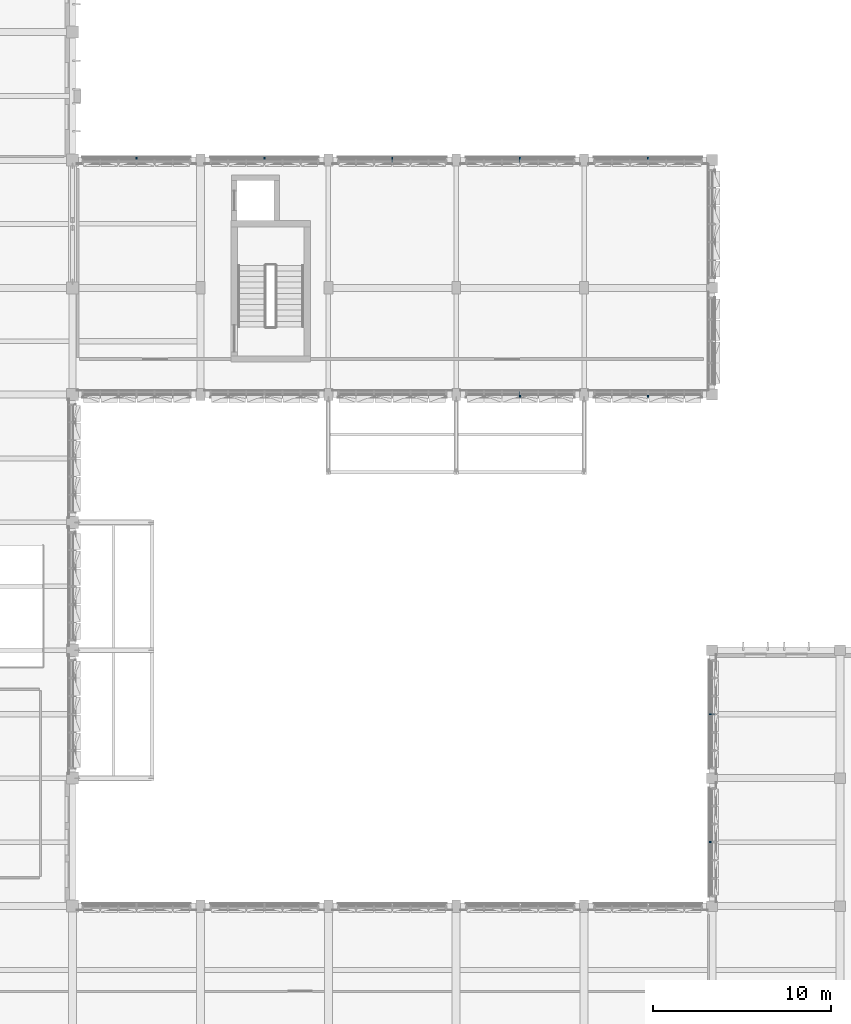
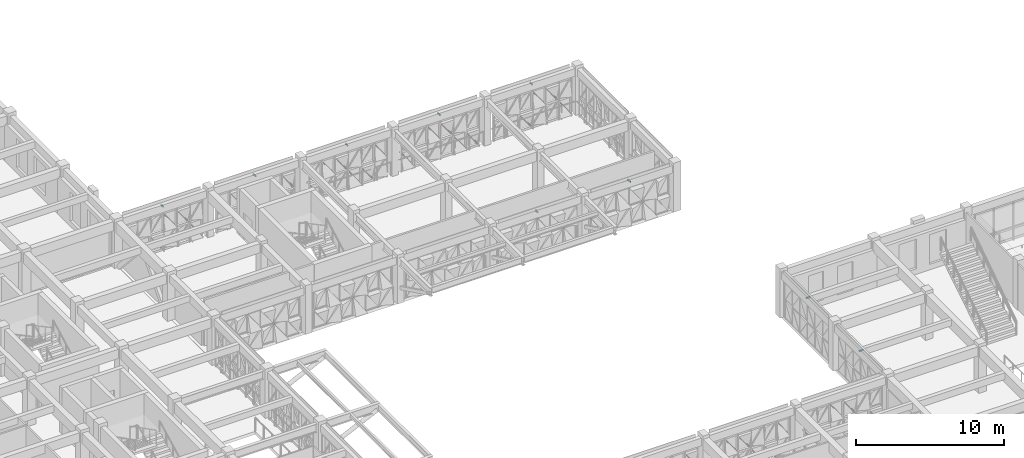
# One storey, part 64 of 88: 9 discrete accessories.
"""IFC4 building model written with IfcOpenShell, lengths in metres."""

from ifc_helpers import new_model, si_unit, direction, frame, origin, origin_2d, place, context, subcontext, project, spatial, rectangle, extrude, material, type_object, element, save


model = new_model("IFC4")

# Units and contexts
model_context = context("Model", 3, precision=1e-05, world=origin(), true_north=direction((0.0, 1.0)))
body_context = subcontext(model_context, "Body", "Model", "MODEL_VIEW")
ifc_project = project(units=[si_unit("LENGTHUNIT", "METRE"), si_unit("AREAUNIT", "SQUARE_METRE"), si_unit("VOLUMEUNIT", "CUBIC_METRE"), si_unit("PLANEANGLEUNIT", "RADIAN"), si_unit("MASSUNIT", "GRAM", prefix="KILO")], contexts=[model_context])

# Site, building, storey
site_placement = place(None, origin())
site = spatial("IfcSite", under=ifc_project, at=site_placement, CompositionType="ELEMENT")
building_placement = place(site_placement, origin())
building = spatial("IfcBuilding", under=site, at=building_placement, Name="Alvorim Cloister Faculty of Sciences", CompositionType="ELEMENT")
storey_placement = place(building_placement, frame((0.0, 0.0, 4.5)))
storey = spatial("IfcBuildingStorey", under=building, at=storey_placement, Name="L01", CompositionType="ELEMENT", Elevation=4.5)

# Discrete accessories
ifc_material = material(Name="Aluminium Alloy 6063-T6", Category="aluminium")
discrete_accessory_type = type_object("IfcDiscreteAccessoryType", Name="ACC-DIAG-BAR", PredefinedType="BRACKET", material=ifc_material)
for number, where, z_axis, x_axis, name in (
    (1, (32.39990234375, 56.260009765625, 3.610107421875), (0.0, 1.0, 0.0), (-1.0, 0.0, 0.0), "Slab-Edge Fascia Tie Bracket ACC-00074"),
    (2, (39.60009765625, 56.260009765625, 3.610107421875), (0.0, 1.0, 0.0), (-1.0, 0.0, 0.0), "Slab-Edge Fascia Tie Bracket ACC-00087"),
    (3, (46.800048828125, 56.260009765625, 3.610107421875), (0.0, 1.0, 0.0), (-1.0, 0.0, 0.0), "Slab-Edge Fascia Tie Bracket ACC-00100"),
    (4, (54.0, 56.260009765625, 3.610107421875), (0.0, 1.0, 0.0), (-1.0, 0.0, 0.0), "Slab-Edge Fascia Tie Bracket ACC-00113"),
    (5, (61.199951171875, 56.260009765625, 3.610107421875), (0.0, 1.0, 0.0), (-1.0, 0.0, 0.0), "Slab-Edge Fascia Tie Bracket ACC-00126"),
    (6, (61.199951171875, 43.340087890625, 3.610107421875), (0.0, -1.0, 0.0), (1.0, 0.0, 0.0), "Slab-Edge Fascia Tie Bracket ACC-00161"),
    (7, (54.0, 43.340087890625, 3.610107421875), (0.0, -1.0, 0.0), (1.0, 0.0, 0.0), "Slab-Edge Fascia Tie Bracket ACC-00174"),
    (8, (64.93994140625, 18.0, 3.610107421875), (-1.0, 0.0, 0.0), (0.0, -1.0, 0.0), "Slab-Edge Fascia Tie Bracket ACC-00330"),
    (9, (64.93994140625, 25.199951171875, 3.610107421875), (-1.0, 0.0, 0.0), (0.0, -1.0, 0.0), "Slab-Edge Fascia Tie Bracket ACC-00343"),
):
    element("IfcDiscreteAccessory", number, at=place(storey_placement, frame(where, z_axis=z_axis, x_axis=x_axis)), inside=storey, type_object=discrete_accessory_type, Name=name, PredefinedType="BRACKET", context=body_context, shape_type="SweptSolid", body=[
        extrude(rectangle(XDim=0.080078125, YDim=0.080078125, at=origin_2d()), origin(), (0.0, 0.0, 1.0), 0.300048828125),
    ])

save(model, "model.ifc")
